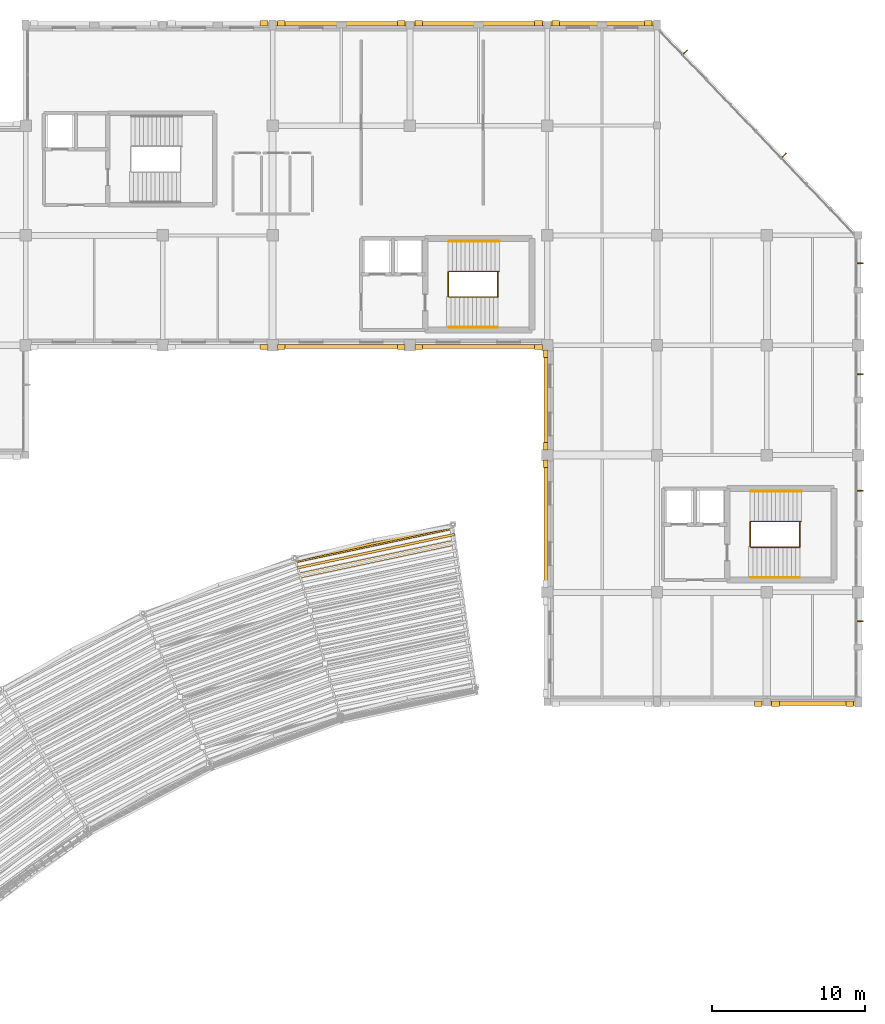
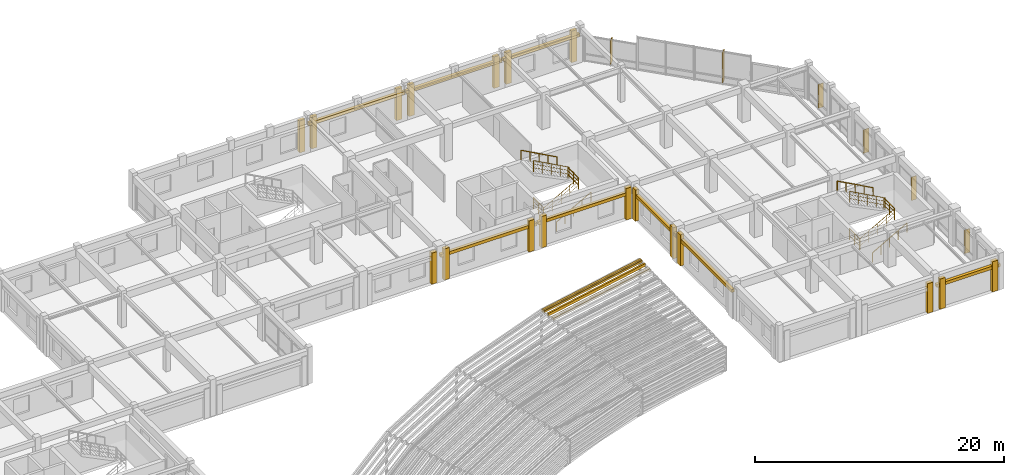
# One storey, part 74 of 74: 28 coverings, 12 railings, 9 shading devices.
"""IFC4 building model written with IfcOpenShell, lengths in metres."""

from ifc_helpers import new_model, si_unit, direction, frame, frame_2d, origin, origin_2d, place, context, subcontext, project, spatial, rectangle, circle, extrude, material, layer, layer_set, type_object, element, save


model = new_model("IFC4")

# Units and contexts
model_context = context("Model", 3, precision=1e-05, world=origin(), true_north=direction((0.0, 1.0)))
body_context = subcontext(model_context, "Body", "Model", "MODEL_VIEW")
ifc_project = project(units=[si_unit("LENGTHUNIT", "METRE"), si_unit("AREAUNIT", "SQUARE_METRE"), si_unit("VOLUMEUNIT", "CUBIC_METRE"), si_unit("PLANEANGLEUNIT", "RADIAN"), si_unit("MASSUNIT", "GRAM", prefix="KILO")], contexts=[model_context])

# Site, building, storey
site_placement = place(None, origin())
site = spatial("IfcSite", under=ifc_project, at=site_placement, CompositionType="ELEMENT")
building_placement = place(site_placement, origin())
building = spatial("IfcBuilding", under=site, at=building_placement, Name="Clarverna Civic Hall", CompositionType="ELEMENT")
storey_placement = place(building_placement, frame((0.0, 0.0, 13.199951171875)))
storey = spatial("IfcBuildingStorey", under=building, at=storey_placement, Name="L03", CompositionType="ELEMENT", Elevation=13.199951171875)

# Coverings
ifc_material_1 = material(Name="Thermally Modified Teak Wood Slat Fascia Cladding", Category="wood")
ifc_layer_1 = layer(ifc_material_1, 0.080078125)
ifc_layer_set_1 = layer_set([ifc_layer_1], Name="Thermally Modified Teak Wood Slat Fascia Cladding")
covering_type_1 = type_object("IfcCoveringType", Name="CV-CL1", PredefinedType="CLADDING", material=ifc_layer_set_1)
covering_1_placement = place(storey_placement, frame((141.58984375, 82.072021484375, 4.625), z_axis=(0.0, 0.0, 1.0), x_axis=(-0.978147552411, -0.20791191816, 0.0)))
element("IfcCovering", 1, at=covering_1_placement, inside=storey, type_object=covering_type_1, Name="CV-CL1-244", PredefinedType="CLADDING", context=body_context, shape_type="SweptSolid", body=[
    extrude(rectangle(XDim=10.435546875, YDim=0.340087890625, at=frame_2d((5.2177734375, 0.0))), origin(), (0.0, 0.0, 1.0), 0.219970703125),
])
covering_2_placement = place(storey_placement, frame((141.443603515625, 83.11181640625, 4.860107421875), z_axis=(0.0, 0.0, 1.0), x_axis=(-0.978145479826, -0.207921668653, 0.0)))
element("IfcCovering", 2, at=covering_2_placement, inside=storey, type_object=covering_type_1, Name="CV-CL1-249", PredefinedType="CLADDING", context=body_context, shape_type="SweptSolid", body=[
    extrude(rectangle(XDim=10.581787109375, YDim=0.340087890625, at=frame_2d((5.291015625, 0.0))), origin(), (0.0, 0.0, 1.0), 0.219970703125),
])
ifc_material_2 = material(Name="Montjuic Buff Limestone Ashlar Cladding", Category="masonry")
ifc_layer_2 = layer(ifc_material_2, 0.070068359375)
ifc_layer_set_2 = layer_set([ifc_layer_2], Name="Montjuic Buff Limestone Ashlar Cladding")
covering_type_2 = type_object("IfcCoveringType", Name="CV-CL2", PredefinedType="CLADDING", material=ifc_layer_set_2)
covering_3_placement = place(storey_placement, frame((128.780029296875, 116.110107421875, 0.0), z_axis=(0.0, 0.0, 1.0), x_axis=(1.0, 0.0, 0.0)))
element("IfcCovering", 3, at=covering_3_placement, inside=storey, type_object=covering_type_2, Name="CV-CL2-547", PredefinedType="CLADDING", context=body_context, shape_type="SweptSolid", body=[
    extrude(rectangle(XDim=0.5, YDim=0.340087890625, at=frame_2d((0.25, 0.0))), origin(), (0.0, 0.0, 1.0), 3.1201171875),
])
covering_4_placement = place(storey_placement, frame((129.659912109375, 116.080078125, 2.320068359375), z_axis=(0.0, 0.0, 1.0), x_axis=(1.0, 0.0, 0.0)))
element("IfcCovering", 4, at=covering_4_placement, inside=storey, type_object=covering_type_2, Name="CV-CL2-548", PredefinedType="CLADDING", context=body_context, shape_type="SweptSolid", body=[
    extrude(rectangle(XDim=8.880126953125, YDim=0.280029296875, at=frame_2d((4.43994140625, 0.0))), origin(), (0.0, 0.0, 1.0), 0.300048828125),
])
for number, where, z_axis, x_axis, name in (
    (5, (129.919921875, 116.110107421875, 0.0), (0.0, 0.0, 1.0), (1.0, 0.0, 0.0), "CV-CL2-549"),
    (6, (137.780029296875, 116.110107421875, 0.0), (0.0, 0.0, 1.0), (1.0, 0.0, 0.0), "CV-CL2-550"),
):
    element("IfcCovering", number, at=place(storey_placement, frame(where, z_axis=z_axis, x_axis=x_axis)), inside=storey, type_object=covering_type_2, Name=name, PredefinedType="CLADDING", context=body_context, shape_type="SweptSolid", body=[
        extrude(rectangle(XDim=0.5, YDim=0.340087890625, at=frame_2d((0.25, 0.0))), origin(), (0.0, 0.0, 1.0), 3.080078125),
    ])
covering_5_placement = place(storey_placement, frame((138.659912109375, 116.080078125, 2.320068359375), z_axis=(0.0, 0.0, 1.0), x_axis=(1.0, 0.0, 0.0)))
element("IfcCovering", 7, at=covering_5_placement, inside=storey, type_object=covering_type_2, Name="CV-CL2-551", PredefinedType="CLADDING", context=body_context, shape_type="SweptSolid", body=[
    extrude(rectangle(XDim=8.880126953125, YDim=0.280029296875, at=frame_2d((4.43994140625, 0.0))), origin(), (0.0, 0.0, 1.0), 0.300048828125),
])
for number, where, z_axis, x_axis, name in (
    (8, (138.919921875, 116.110107421875, 0.0), (0.0, 0.0, 1.0), (1.0, 0.0, 0.0), "CV-CL2-552"),
    (9, (146.780029296875, 116.110107421875, 0.0), (0.0, 0.0, 1.0), (1.0, 0.0, 0.0), "CV-CL2-553"),
):
    element("IfcCovering", number, at=place(storey_placement, frame(where, z_axis=z_axis, x_axis=x_axis)), inside=storey, type_object=covering_type_2, Name=name, PredefinedType="CLADDING", context=body_context, shape_type="SweptSolid", body=[
        extrude(rectangle(XDim=0.5, YDim=0.340087890625, at=frame_2d((0.25, 0.0))), origin(), (0.0, 0.0, 1.0), 3.080078125),
    ])
covering_6_placement = place(storey_placement, frame((147.659912109375, 116.080078125, 2.320068359375), z_axis=(0.0, 0.0, 1.0), x_axis=(1.0, 0.0, 0.0)))
element("IfcCovering", 10, at=covering_6_placement, inside=storey, type_object=covering_type_2, Name="CV-CL2-554", PredefinedType="CLADDING", context=body_context, shape_type="SweptSolid", body=[
    extrude(rectangle(XDim=7.080078125, YDim=0.280029296875, at=frame_2d((3.5400390625, 0.0))), origin(), (0.0, 0.0, 1.0), 0.300048828125),
])
for number, where, z_axis, x_axis, name in (
    (11, (147.919921875, 116.110107421875, 0.0), (0.0, 0.0, 1.0), (1.0, 0.0, 0.0), "CV-CL2-555"),
    (12, (153.97998046875, 116.110107421875, 0.0), (0.0, 0.0, 1.0), (1.0, 0.0, 0.0), "CV-CL2-556"),
):
    element("IfcCovering", number, at=place(storey_placement, frame(where, z_axis=z_axis, x_axis=x_axis)), inside=storey, type_object=covering_type_2, Name=name, PredefinedType="CLADDING", context=body_context, shape_type="SweptSolid", body=[
        extrude(rectangle(XDim=0.5, YDim=0.340087890625, at=frame_2d((0.25, 0.0))), origin(), (0.0, 0.0, 1.0), 3.080078125),
    ])
covering_7_placement = place(storey_placement, frame((167.93994140625, 71.52001953125, 2.18994140625), z_axis=(0.0, 0.0, 1.0), x_axis=(-1.0, 0.0, 0.0)))
element("IfcCovering", 13, at=covering_7_placement, inside=storey, type_object=covering_type_2, Name="CV-CL2-557", PredefinedType="CLADDING", context=body_context, shape_type="SweptSolid", body=[
    extrude(rectangle(XDim=5.8798828125, YDim=0.280029296875, at=frame_2d((2.93994140625, 0.0))), origin(), (0.0, 0.0, 1.0), 0.300048828125),
])
for number, where, z_axis, x_axis, name in (
    (14, (167.679931640625, 71.489990234375, 0.0), (0.0, 0.0, 1.0), (-1.0, 0.0, 0.0), "CV-CL2-558"),
    (15, (162.820068359375, 71.489990234375, 0.0), (0.0, 0.0, 1.0), (-1.0, 0.0, 0.0), "CV-CL2-559"),
):
    element("IfcCovering", number, at=place(storey_placement, frame(where, z_axis=z_axis, x_axis=x_axis)), inside=storey, type_object=covering_type_2, Name=name, PredefinedType="CLADDING", context=body_context, shape_type="SweptSolid", body=[
        extrude(rectangle(XDim=0.5, YDim=0.340087890625, at=frame_2d((0.25, 0.0))), origin(), (0.0, 0.0, 1.0), 2.949951171875),
    ])
covering_8_placement = place(storey_placement, frame((161.679931640625, 71.489990234375, 0.0), z_axis=(0.0, 0.0, 1.0), x_axis=(-1.0, 0.0, 0.0)))
element("IfcCovering", 16, at=covering_8_placement, inside=storey, type_object=covering_type_2, Name="CV-CL2-561", PredefinedType="CLADDING", context=body_context, shape_type="SweptSolid", body=[
    extrude(rectangle(XDim=0.5, YDim=0.340087890625, at=frame_2d((0.25, 0.0))), origin(), (0.0, 0.0, 1.0), 2.900146484375),
])
covering_9_placement = place(storey_placement, frame((147.52001953125, 78.860107421875, 2.2900390625), z_axis=(0.0, 0.0, 1.0), x_axis=(0.0, 1.0, 0.0)))
element("IfcCovering", 17, at=covering_9_placement, inside=storey, type_object=covering_type_2, Name="CV-CL2-569", PredefinedType="CLADDING", context=body_context, shape_type="SweptSolid", body=[
    extrude(rectangle(XDim=8.8798828125, YDim=0.280029296875, at=frame_2d((4.43994140625, 0.0))), origin(), (0.0, 0.0, 1.0), 0.300048828125),
])
covering_10_placement = place(storey_placement, frame((147.489990234375, 86.97998046875, 0.0), z_axis=(0.0, 0.0, 1.0), x_axis=(0.0, 1.0, 0.0)))
element("IfcCovering", 18, at=covering_10_placement, inside=storey, type_object=covering_type_2, Name="CV-CL2-571", PredefinedType="CLADDING", context=body_context, shape_type="SweptSolid", body=[
    extrude(rectangle(XDim=0.5, YDim=0.340087890625, at=frame_2d((0.25, 0.0))), origin(), (0.0, 0.0, 1.0), 3.050048828125),
])
covering_11_placement = place(storey_placement, frame((147.52001953125, 87.860107421875, 2.2900390625), z_axis=(0.0, 0.0, 1.0), x_axis=(0.0, 1.0, 0.0)))
element("IfcCovering", 19, at=covering_11_placement, inside=storey, type_object=covering_type_2, Name="CV-CL2-572", PredefinedType="CLADDING", context=body_context, shape_type="SweptSolid", body=[
    extrude(rectangle(XDim=7.079833984375, YDim=0.280029296875, at=frame_2d((3.5400390625, 0.0))), origin(), (0.0, 0.0, 1.0), 0.300048828125),
])
for number, where, z_axis, x_axis, name in (
    (20, (147.489990234375, 88.1201171875, 0.0), (0.0, 0.0, 1.0), (0.0, 1.0, 0.0), "CV-CL2-573"),
    (21, (147.489990234375, 94.179931640625, 0.0), (0.0, 0.0, 1.0), (0.0, 1.0, 0.0), "CV-CL2-574"),
):
    element("IfcCovering", number, at=place(storey_placement, frame(where, z_axis=z_axis, x_axis=x_axis)), inside=storey, type_object=covering_type_2, Name=name, PredefinedType="CLADDING", context=body_context, shape_type="SweptSolid", body=[
        extrude(rectangle(XDim=0.5, YDim=0.340087890625, at=frame_2d((0.25, 0.0))), origin(), (0.0, 0.0, 1.0), 3.050048828125),
    ])
covering_12_placement = place(storey_placement, frame((147.5400390625, 94.919921875, 2.320068359375), z_axis=(0.0, 0.0, 1.0), x_axis=(-1.0, 0.0, 0.0)))
element("IfcCovering", 22, at=covering_12_placement, inside=storey, type_object=covering_type_2, Name="CV-CL2-575", PredefinedType="CLADDING", context=body_context, shape_type="SweptSolid", body=[
    extrude(rectangle(XDim=8.880126953125, YDim=0.280029296875, at=frame_2d((4.43994140625, 0.0))), origin(), (0.0, 0.0, 1.0), 0.300048828125),
])
for number, where, z_axis, x_axis, name in (
    (23, (147.280029296875, 94.889892578125, 0.0), (0.0, 0.0, 1.0), (-1.0, 0.0, 0.0), "CV-CL2-576"),
    (24, (139.419921875, 94.889892578125, 0.0), (0.0, 0.0, 1.0), (-1.0, 0.0, 0.0), "CV-CL2-577"),
):
    element("IfcCovering", number, at=place(storey_placement, frame(where, z_axis=z_axis, x_axis=x_axis)), inside=storey, type_object=covering_type_2, Name=name, PredefinedType="CLADDING", context=body_context, shape_type="SweptSolid", body=[
        extrude(rectangle(XDim=0.5, YDim=0.340087890625, at=frame_2d((0.25, 0.0))), origin(), (0.0, 0.0, 1.0), 3.080078125),
    ])
covering_13_placement = place(storey_placement, frame((138.5400390625, 94.919921875, 2.2900390625), z_axis=(0.0, 0.0, 1.0), x_axis=(-1.0, 0.0, 0.0)))
element("IfcCovering", 25, at=covering_13_placement, inside=storey, type_object=covering_type_2, Name="CV-CL2-578", PredefinedType="CLADDING", context=body_context, shape_type="SweptSolid", body=[
    extrude(rectangle(XDim=8.880126953125, YDim=0.280029296875, at=frame_2d((4.43994140625, 0.0))), origin(), (0.0, 0.0, 1.0), 0.300048828125),
])
for number, where, z_axis, x_axis, name in (
    (26, (138.280029296875, 94.889892578125, 0.0), (0.0, 0.0, 1.0), (-1.0, 0.0, 0.0), "CV-CL2-579"),
    (27, (130.419921875, 94.889892578125, 0.0), (0.0, 0.0, 1.0), (-1.0, 0.0, 0.0), "CV-CL2-580"),
    (28, (129.280029296875, 94.889892578125, 0.0), (0.0, 0.0, 1.0), (-1.0, 0.0, 0.0), "CV-CL2-582"),
):
    element("IfcCovering", number, at=place(storey_placement, frame(where, z_axis=z_axis, x_axis=x_axis)), inside=storey, type_object=covering_type_2, Name=name, PredefinedType="CLADDING", context=body_context, shape_type="SweptSolid", body=[
        extrude(rectangle(XDim=0.5, YDim=0.340087890625, at=frame_2d((0.25, 0.0))), origin(), (0.0, 0.0, 1.0), 3.050048828125),
    ])

# Railings
ifc_material_3 = material(Name="Anodised Bronze Architectural Balustrade")
railing_type_1 = type_object("IfcRailingType", Name="GR-02", PredefinedType="BALUSTRADE", material=ifc_material_3)
railing_1_placement = place(storey_placement, frame((141.14990234375, 98.159912109375, 0.0)))
element("IfcRailing", 29, at=railing_1_placement, inside=storey, type_object=railing_type_1, Name="GR-02-019", PredefinedType="BALUSTRADE", context=body_context, shape_type="SweptSolid", body=[
    extrude(circle(Radius=0.02392578125, at=origin_2d()), frame((0.0, 0.0, 1.09619140625), z_axis=(0.871901705862, 0.0, 0.489680932154), x_axis=(0.0, 1.0, 0.0)), (0.0, 0.0, 1.0), 3.676025390625),
    extrude(circle(Radius=0.011962890625, at=origin_2d()), frame((0.0, 0.0, 0.39208984375), z_axis=(0.871901705862, 0.0, 0.489680932154), x_axis=(0.0, 1.0, 0.0)), (0.0, 0.0, 1.0), 3.676025390625),
    extrude(circle(Radius=0.011962890625, at=origin_2d()), frame((0.0, 0.0, 0.76171875), z_axis=(0.871901705862, 0.0, 0.489680932154), x_axis=(0.0, 1.0, 0.0)), (0.0, 0.0, 1.0), 3.676025390625),
    extrude(circle(Radius=0.02099609375, at=origin_2d()), origin(), (0.0, 0.0, 1.0), 1.072021484375),
    extrude(circle(Radius=0.02099609375, at=origin_2d()), frame((0.80126953125, 0.0, 0.449951171875)), (0.0, 0.0, 1.0), 1.072021484375),
    extrude(circle(Radius=0.02099609375, at=origin_2d()), frame((1.6025390625, 0.0, 0.89990234375)), (0.0, 0.0, 1.0), 1.072021484375),
    extrude(circle(Radius=0.02099609375, at=origin_2d()), frame((2.40380859375, 0.0, 1.35009765625)), (0.0, 0.0, 1.0), 1.072021484375),
    extrude(circle(Radius=0.02099609375, at=origin_2d()), frame((3.205078125, 0.0, 1.800048828125)), (0.0, 0.0, 1.0), 1.072021484375),
])
railing_2_placement = place(storey_placement, frame((144.35498046875, 98.159912109375, 1.800048828125)))
element("IfcRailing", 30, at=railing_2_placement, inside=storey, type_object=railing_type_1, Name="GR-02-020", PredefinedType="BALUSTRADE", context=body_context, shape_type="SweptSolid", body=[
    extrude(circle(Radius=0.02392578125, at=origin_2d()), frame((0.0, 0.0, 1.09619140625), z_axis=(0.0, 1.0, 0.0), x_axis=(-1.0, 0.0, 0.0)), (0.0, 0.0, 1.0), 1.68017578125),
    extrude(circle(Radius=0.011962890625, at=origin_2d()), frame((0.0, 0.0, 0.39208984375), z_axis=(0.0, 1.0, 0.0), x_axis=(-1.0, 0.0, 0.0)), (0.0, 0.0, 1.0), 1.68017578125),
    extrude(circle(Radius=0.011962890625, at=origin_2d()), frame((0.0, 0.0, 0.76171875), z_axis=(0.0, 1.0, 0.0), x_axis=(-1.0, 0.0, 0.0)), (0.0, 0.0, 1.0), 1.68017578125),
    extrude(circle(Radius=0.02099609375, at=origin_2d()), origin(), (0.0, 0.0, 1.0), 1.072021484375),
    extrude(circle(Radius=0.02099609375, at=origin_2d()), frame((0.0, 0.840087890625, 0.0)), (0.0, 0.0, 1.0), 1.072021484375),
    extrude(circle(Radius=0.02099609375, at=origin_2d()), frame((0.0, 1.68017578125, 0.0)), (0.0, 0.0, 1.0), 1.072021484375),
])
railing_3_placement = place(storey_placement, frame((144.445068359375, 99.840087890625, 1.800048828125)))
element("IfcRailing", 31, at=railing_3_placement, inside=storey, type_object=railing_type_1, Name="GR-02-021", PredefinedType="BALUSTRADE", context=body_context, shape_type="SweptSolid", body=[
    extrude(circle(Radius=0.02392578125, at=origin_2d()), frame((0.0, 0.0, 1.09619140625), z_axis=(-0.877594727342, 0.0, 0.479403269222), x_axis=(0.0, -1.0, 0.0)), (0.0, 0.0, 1.0), 3.7548828125),
    extrude(circle(Radius=0.011962890625, at=origin_2d()), frame((0.0, 0.0, 0.39208984375), z_axis=(-0.877594727342, 0.0, 0.479403269222), x_axis=(0.0, -1.0, 0.0)), (0.0, 0.0, 1.0), 3.7548828125),
    extrude(circle(Radius=0.011962890625, at=origin_2d()), frame((0.0, 0.0, 0.76171875), z_axis=(-0.877594727342, 0.0, 0.479403269222), x_axis=(0.0, -1.0, 0.0)), (0.0, 0.0, 1.0), 3.7548828125),
    extrude(circle(Radius=0.02099609375, at=origin_2d()), origin(), (0.0, 0.0, 1.0), 1.072021484375),
    extrude(circle(Radius=0.02099609375, at=origin_2d()), frame((-0.82373046875, 0.0, 0.449951171875)), (0.0, 0.0, 1.0), 1.072021484375),
    extrude(circle(Radius=0.02099609375, at=origin_2d()), frame((-1.6474609375, 0.0, 0.89990234375)), (0.0, 0.0, 1.0), 1.072021484375),
    extrude(circle(Radius=0.02099609375, at=origin_2d()), frame((-2.471435546875, 0.0, 1.35009765625)), (0.0, 0.0, 1.0), 1.072021484375),
    extrude(circle(Radius=0.02099609375, at=origin_2d()), frame((-3.295166015625, 0.0, 1.800048828125)), (0.0, 0.0, 1.0), 1.072021484375),
])
railing_4_placement = place(storey_placement, frame((141.110107421875, 98.199951171875, 0.0)))
element("IfcRailing", 32, at=railing_4_placement, inside=storey, type_object=railing_type_1, Name="GR-02-022", PredefinedType="BALUSTRADE", context=body_context, shape_type="SweptSolid", body=[
    extrude(circle(Radius=0.02392578125, at=origin_2d()), frame((0.0, 0.0, 1.09619140625), z_axis=(0.0, 1.0, 0.0), x_axis=(-1.0, 0.0, 0.0)), (0.0, 0.0, 1.0), 1.60009765625),
    extrude(circle(Radius=0.011962890625, at=origin_2d()), frame((0.0, 0.0, 0.39208984375), z_axis=(0.0, 1.0, 0.0), x_axis=(-1.0, 0.0, 0.0)), (0.0, 0.0, 1.0), 1.60009765625),
    extrude(circle(Radius=0.011962890625, at=origin_2d()), frame((0.0, 0.0, 0.76171875), z_axis=(0.0, 1.0, 0.0), x_axis=(-1.0, 0.0, 0.0)), (0.0, 0.0, 1.0), 1.60009765625),
    extrude(circle(Radius=0.02099609375, at=origin_2d()), origin(), (0.0, 0.0, 1.0), 1.072021484375),
    extrude(circle(Radius=0.02099609375, at=origin_2d()), frame((0.0, 0.800048828125, 0.0)), (0.0, 0.0, 1.0), 1.072021484375),
    extrude(circle(Radius=0.02099609375, at=origin_2d()), frame((0.0, 1.60009765625, 0.0)), (0.0, 0.0, 1.0), 1.072021484375),
])
railing_5_placement = place(storey_placement, frame((160.949951171875, 81.760009765625, 0.0)))
element("IfcRailing", 33, at=railing_5_placement, inside=storey, type_object=railing_type_1, Name="GR-02-051", PredefinedType="BALUSTRADE", context=body_context, shape_type="SweptSolid", body=[
    extrude(circle(Radius=0.02392578125, at=origin_2d()), frame((0.0, 0.0, 1.09619140625), z_axis=(0.871901705862, 0.0, 0.489680932154), x_axis=(0.0, 1.0, 0.0)), (0.0, 0.0, 1.0), 3.676025390625),
    extrude(circle(Radius=0.011962890625, at=origin_2d()), frame((0.0, 0.0, 0.39208984375), z_axis=(0.871901705862, 0.0, 0.489680932154), x_axis=(0.0, 1.0, 0.0)), (0.0, 0.0, 1.0), 3.676025390625),
    extrude(circle(Radius=0.011962890625, at=origin_2d()), frame((0.0, 0.0, 0.76171875), z_axis=(0.871901705862, 0.0, 0.489680932154), x_axis=(0.0, 1.0, 0.0)), (0.0, 0.0, 1.0), 3.676025390625),
    extrude(circle(Radius=0.02099609375, at=origin_2d()), origin(), (0.0, 0.0, 1.0), 1.072021484375),
    extrude(circle(Radius=0.02099609375, at=origin_2d()), frame((0.80126953125, 0.0, 0.449951171875)), (0.0, 0.0, 1.0), 1.072021484375),
    extrude(circle(Radius=0.02099609375, at=origin_2d()), frame((1.6025390625, 0.0, 0.89990234375)), (0.0, 0.0, 1.0), 1.072021484375),
    extrude(circle(Radius=0.02099609375, at=origin_2d()), frame((2.40380859375, 0.0, 1.35009765625)), (0.0, 0.0, 1.0), 1.072021484375),
    extrude(circle(Radius=0.02099609375, at=origin_2d()), frame((3.205078125, 0.0, 1.800048828125)), (0.0, 0.0, 1.0), 1.072021484375),
])
railing_6_placement = place(storey_placement, frame((164.155029296875, 81.760009765625, 1.800048828125)))
element("IfcRailing", 34, at=railing_6_placement, inside=storey, type_object=railing_type_1, Name="GR-02-052", PredefinedType="BALUSTRADE", context=body_context, shape_type="SweptSolid", body=[
    extrude(circle(Radius=0.02392578125, at=origin_2d()), frame((0.0, 0.0, 1.09619140625), z_axis=(0.0, 1.0, 0.0), x_axis=(-1.0, 0.0, 0.0)), (0.0, 0.0, 1.0), 1.679931640625),
    extrude(circle(Radius=0.011962890625, at=origin_2d()), frame((0.0, 0.0, 0.39208984375), z_axis=(0.0, 1.0, 0.0), x_axis=(-1.0, 0.0, 0.0)), (0.0, 0.0, 1.0), 1.679931640625),
    extrude(circle(Radius=0.011962890625, at=origin_2d()), frame((0.0, 0.0, 0.76171875), z_axis=(0.0, 1.0, 0.0), x_axis=(-1.0, 0.0, 0.0)), (0.0, 0.0, 1.0), 1.679931640625),
    extrude(circle(Radius=0.02099609375, at=origin_2d()), origin(), (0.0, 0.0, 1.0), 1.072021484375),
    extrude(circle(Radius=0.02099609375, at=origin_2d()), frame((0.0, 0.83984375, 0.0)), (0.0, 0.0, 1.0), 1.072021484375),
    extrude(circle(Radius=0.02099609375, at=origin_2d()), frame((0.0, 1.679931640625, 0.0)), (0.0, 0.0, 1.0), 1.072021484375),
])
railing_7_placement = place(storey_placement, frame((164.2451171875, 83.43994140625, 1.800048828125)))
element("IfcRailing", 35, at=railing_7_placement, inside=storey, type_object=railing_type_1, Name="GR-02-053", PredefinedType="BALUSTRADE", context=body_context, shape_type="SweptSolid", body=[
    extrude(circle(Radius=0.02392578125, at=origin_2d()), frame((0.0, 0.0, 1.09619140625), z_axis=(-0.877594727342, 0.0, 0.479403269222), x_axis=(0.0, -1.0, 0.0)), (0.0, 0.0, 1.0), 3.7548828125),
    extrude(circle(Radius=0.011962890625, at=origin_2d()), frame((0.0, 0.0, 0.39208984375), z_axis=(-0.877594727342, 0.0, 0.479403269222), x_axis=(0.0, -1.0, 0.0)), (0.0, 0.0, 1.0), 3.7548828125),
    extrude(circle(Radius=0.011962890625, at=origin_2d()), frame((0.0, 0.0, 0.76171875), z_axis=(-0.877594727342, 0.0, 0.479403269222), x_axis=(0.0, -1.0, 0.0)), (0.0, 0.0, 1.0), 3.7548828125),
    extrude(circle(Radius=0.02099609375, at=origin_2d()), origin(), (0.0, 0.0, 1.0), 1.072021484375),
    extrude(circle(Radius=0.02099609375, at=origin_2d()), frame((-0.82373046875, 0.0, 0.449951171875)), (0.0, 0.0, 1.0), 1.072021484375),
    extrude(circle(Radius=0.02099609375, at=origin_2d()), frame((-1.6474609375, 0.0, 0.89990234375)), (0.0, 0.0, 1.0), 1.072021484375),
    extrude(circle(Radius=0.02099609375, at=origin_2d()), frame((-2.471435546875, 0.0, 1.35009765625)), (0.0, 0.0, 1.0), 1.072021484375),
    extrude(circle(Radius=0.02099609375, at=origin_2d()), frame((-3.295166015625, 0.0, 1.800048828125)), (0.0, 0.0, 1.0), 1.072021484375),
])
railing_8_placement = place(storey_placement, frame((160.909912109375, 81.800048828125, 0.0)))
element("IfcRailing", 36, at=railing_8_placement, inside=storey, type_object=railing_type_1, Name="GR-02-054", PredefinedType="BALUSTRADE", context=body_context, shape_type="SweptSolid", body=[
    extrude(circle(Radius=0.02392578125, at=origin_2d()), frame((0.0, 0.0, 1.09619140625), z_axis=(0.0, 1.0, 0.0), x_axis=(-1.0, 0.0, 0.0)), (0.0, 0.0, 1.0), 1.599853515625),
    extrude(circle(Radius=0.011962890625, at=origin_2d()), frame((0.0, 0.0, 0.39208984375), z_axis=(0.0, 1.0, 0.0), x_axis=(-1.0, 0.0, 0.0)), (0.0, 0.0, 1.0), 1.599853515625),
    extrude(circle(Radius=0.011962890625, at=origin_2d()), frame((0.0, 0.0, 0.76171875), z_axis=(0.0, 1.0, 0.0), x_axis=(-1.0, 0.0, 0.0)), (0.0, 0.0, 1.0), 1.599853515625),
    extrude(circle(Radius=0.02099609375, at=origin_2d()), origin(), (0.0, 0.0, 1.0), 1.072021484375),
    extrude(circle(Radius=0.02099609375, at=origin_2d()), frame((0.0, 0.7998046875, 0.0)), (0.0, 0.0, 1.0), 1.072021484375),
    extrude(circle(Radius=0.02099609375, at=origin_2d()), frame((0.0, 1.599853515625, 0.0)), (0.0, 0.0, 1.0), 1.072021484375),
])
ifc_material_4 = material(Name="Anodised Bronze Continuous Handrail")
railing_type_2 = type_object("IfcRailingType", Name="HR-01", PredefinedType="HANDRAIL", material=ifc_material_4)
railing_9_placement = place(storey_placement, frame((141.14990234375, 96.179931640625, 0.0)))
element("IfcRailing", 37, at=railing_9_placement, inside=storey, type_object=railing_type_2, Name="HR-01-009", PredefinedType="HANDRAIL", context=body_context, shape_type="SweptSolid", body=[
    extrude(circle(Radius=0.02392578125, at=origin_2d()), frame((0.0, 0.0, 0.89599609375), z_axis=(0.870925075533, 0.0, 0.491415824742), x_axis=(0.0, 1.0, 0.0)), (0.0, 0.0, 1.0), 3.6630859375),
    extrude(circle(Radius=0.02099609375, at=origin_2d()), origin(), (0.0, 0.0, 1.0), 0.871826171875),
    extrude(circle(Radius=0.02099609375, at=origin_2d()), frame((0.797607421875, 0.0, 0.449951171875)), (0.0, 0.0, 1.0), 0.871826171875),
    extrude(circle(Radius=0.02099609375, at=origin_2d()), frame((1.59521484375, 0.0, 0.89990234375)), (0.0, 0.0, 1.0), 0.871826171875),
    extrude(circle(Radius=0.02099609375, at=origin_2d()), frame((2.392578125, 0.0, 1.35009765625)), (0.0, 0.0, 1.0), 0.871826171875),
    extrude(circle(Radius=0.02099609375, at=origin_2d()), frame((3.190185546875, 0.0, 1.800048828125)), (0.0, 0.0, 1.0), 0.871826171875),
])
railing_10_placement = place(storey_placement, frame((144.4599609375, 101.820068359375, 1.800048828125)))
element("IfcRailing", 38, at=railing_10_placement, inside=storey, type_object=railing_type_2, Name="HR-01-010", PredefinedType="HANDRAIL", context=body_context, shape_type="SweptSolid", body=[
    extrude(circle(Radius=0.02392578125, at=origin_2d()), frame((0.0, 0.0, 0.89599609375), z_axis=(-0.878501555178, 0.0, 0.477739487116), x_axis=(0.0, -1.0, 0.0)), (0.0, 0.0, 1.0), 3.767822265625),
    extrude(circle(Radius=0.02099609375, at=origin_2d()), origin(), (0.0, 0.0, 1.0), 0.871826171875),
    extrude(circle(Radius=0.02099609375, at=origin_2d()), frame((-0.82763671875, 0.0, 0.449951171875)), (0.0, 0.0, 1.0), 0.871826171875),
    extrude(circle(Radius=0.02099609375, at=origin_2d()), frame((-1.655029296875, 0.0, 0.89990234375)), (0.0, 0.0, 1.0), 0.871826171875),
    extrude(circle(Radius=0.02099609375, at=origin_2d()), frame((-2.482421875, 0.0, 1.35009765625)), (0.0, 0.0, 1.0), 0.871826171875),
    extrude(circle(Radius=0.02099609375, at=origin_2d()), frame((-3.31005859375, 0.0, 1.800048828125)), (0.0, 0.0, 1.0), 0.871826171875),
])
railing_11_placement = place(storey_placement, frame((160.949951171875, 79.780029296875, 0.0)))
element("IfcRailing", 39, at=railing_11_placement, inside=storey, type_object=railing_type_2, Name="HR-01-025", PredefinedType="HANDRAIL", context=body_context, shape_type="SweptSolid", body=[
    extrude(circle(Radius=0.02392578125, at=origin_2d()), frame((0.0, 0.0, 0.89599609375), z_axis=(0.87090897868, 0.0, 0.491444351738), x_axis=(0.0, 1.0, 0.0)), (0.0, 0.0, 1.0), 3.662841796875),
    extrude(circle(Radius=0.02099609375, at=origin_2d()), origin(), (0.0, 0.0, 1.0), 0.871826171875),
    extrude(circle(Radius=0.02099609375, at=origin_2d()), frame((0.79736328125, 0.0, 0.449951171875)), (0.0, 0.0, 1.0), 0.871826171875),
    extrude(circle(Radius=0.02099609375, at=origin_2d()), frame((1.594970703125, 0.0, 0.89990234375)), (0.0, 0.0, 1.0), 0.871826171875),
    extrude(circle(Radius=0.02099609375, at=origin_2d()), frame((2.392578125, 0.0, 1.35009765625)), (0.0, 0.0, 1.0), 0.871826171875),
    extrude(circle(Radius=0.02099609375, at=origin_2d()), frame((3.18994140625, 0.0, 1.800048828125)), (0.0, 0.0, 1.0), 0.871826171875),
])
railing_12_placement = place(storey_placement, frame((164.260009765625, 85.419921875, 1.800048828125)))
element("IfcRailing", 40, at=railing_12_placement, inside=storey, type_object=railing_type_2, Name="HR-01-026", PredefinedType="HANDRAIL", context=body_context, shape_type="SweptSolid", body=[
    extrude(circle(Radius=0.02392578125, at=origin_2d()), frame((0.0, 0.0, 0.89599609375), z_axis=(-0.878501555178, 0.0, 0.477739487116), x_axis=(0.0, -1.0, 0.0)), (0.0, 0.0, 1.0), 3.767822265625),
    extrude(circle(Radius=0.02099609375, at=origin_2d()), origin(), (0.0, 0.0, 1.0), 0.871826171875),
    extrude(circle(Radius=0.02099609375, at=origin_2d()), frame((-0.82763671875, 0.0, 0.449951171875)), (0.0, 0.0, 1.0), 0.871826171875),
    extrude(circle(Radius=0.02099609375, at=origin_2d()), frame((-1.655029296875, 0.0, 0.89990234375)), (0.0, 0.0, 1.0), 0.871826171875),
    extrude(circle(Radius=0.02099609375, at=origin_2d()), frame((-2.482421875, 0.0, 1.35009765625)), (0.0, 0.0, 1.0), 0.871826171875),
    extrude(circle(Radius=0.02099609375, at=origin_2d()), frame((-3.31005859375, 0.0, 1.800048828125)), (0.0, 0.0, 1.0), 0.871826171875),
])

# Shading devices
ifc_material_5 = material(Name="Anodised Bronze Architectural Solar Fin", Category="aluminium")
ifc_layer_3 = layer(ifc_material_5, 0.054931640625)
ifc_layer_set_3 = layer_set([ifc_layer_3], Name="Anodised Bronze Architectural Solar Fin")
shading_device_type_1 = type_object("IfcShadingDeviceType", Name="SD-FN1", PredefinedType="USERDEFINED", material=ifc_layer_set_3)
shading_device_1_placement = place(storey_placement, frame((156.455322265625, 114.0234375, 0.150146484375), z_axis=(0.0, 0.0, 1.0), x_axis=(0.72269708108, 0.691164907239, 0.0)))
element("IfcShadingDevice", 41, at=shading_device_1_placement, inside=storey, type_object=shading_device_type_1, Name="SD-FN1-031", ObjectType="FIN", PredefinedType="USERDEFINED", context=body_context, shape_type="SweptSolid", body=[
    extrude(rectangle(XDim=0.47998046875, YDim=0.054931640625, at=frame_2d((0.239990234375, 0.0))), origin(), (0.0, 0.0, 1.0), 2.33984375),
])
shading_device_2_placement = place(storey_placement, frame((162.927001953125, 107.257568359375, 0.150146484375), z_axis=(0.0, 0.0, 1.0), x_axis=(0.72269708108, 0.691164907239, 0.0)))
element("IfcShadingDevice", 42, at=shading_device_2_placement, inside=storey, type_object=shading_device_type_1, Name="SD-FN1-032", ObjectType="FIN", PredefinedType="USERDEFINED", context=body_context, shape_type="SweptSolid", body=[
    extrude(rectangle(XDim=0.47998046875, YDim=0.054931640625, at=frame_2d((0.239990234375, 0.0))), origin(), (0.0, 0.0, 1.0), 3.02001953125),
])
shading_device_3_placement = place(storey_placement, frame((167.830078125, 100.3701171875, 0.150146484375), z_axis=(0.0, 0.0, 1.0), x_axis=(1.0, 0.0, 0.0)))
element("IfcShadingDevice", 43, at=shading_device_3_placement, inside=storey, type_object=shading_device_type_1, Name="SD-FN1-033", ObjectType="FIN", PredefinedType="USERDEFINED", context=body_context, shape_type="SweptSolid", body=[
    extrude(rectangle(XDim=0.47998046875, YDim=0.054931640625, at=frame_2d((0.239990234375, 0.0))), origin(), (0.0, 0.0, 1.0), 2.33984375),
])
for number, where, z_axis, x_axis, name in (
    (44, (167.830078125, 93.107421875, 0.150146484375), (0.0, 0.0, 1.0), (1.0, 0.0, 0.0), "SD-FN1-034"),
    (45, (167.830078125, 85.45751953125, 0.150146484375), (0.0, 0.0, 1.0), (1.0, 0.0, 0.0), "SD-FN1-035"),
    (46, (167.830078125, 76.907470703125, 0.150146484375), (0.0, 0.0, 1.0), (1.0, 0.0, 0.0), "SD-FN1-036"),
):
    element("IfcShadingDevice", number, at=place(storey_placement, frame(where, z_axis=z_axis, x_axis=x_axis)), inside=storey, type_object=shading_device_type_1, Name=name, ObjectType="FIN", PredefinedType="USERDEFINED", context=body_context, shape_type="SweptSolid", body=[
        extrude(rectangle(XDim=0.47998046875, YDim=0.054931640625, at=frame_2d((0.239990234375, 0.0))), origin(), (0.0, 0.0, 1.0), 2.2998046875),
    ])
ifc_material_6 = material(Name="Thermally Modified Teak Wood Slats", Category="wood")
ifc_layer_4 = layer(ifc_material_6, 0.06494140625)
ifc_layer_set_4 = layer_set([ifc_layer_4], Name="Thermally Modified Teak Wood Slats")
shading_device_type_2 = type_object("IfcShadingDeviceType", Name="SD-WD1", PredefinedType="JALOUSIE", material=ifc_layer_set_4)
shading_device_4_placement = place(storey_placement, frame((141.516845703125, 82.591796875, 4.72265625), z_axis=(0.0, 0.0, 1.0), x_axis=(-0.978149875442, -0.207900988869, 0.0)))
element("IfcShadingDevice", 47, at=shading_device_4_placement, inside=storey, type_object=shading_device_type_2, Name="SD-WD1-448", PredefinedType="JALOUSIE", context=body_context, shape_type="SweptSolid", body=[
    extrude(rectangle(XDim=10.509033203125, YDim=0.159912109375, at=frame_2d((5.25439453125, 0.0))), origin(), (0.0, 0.0, 1.0), 0.27978515625),
])
shading_device_5_placement = place(storey_placement, frame((141.443603515625, 83.11181640625, 4.840087890625), z_axis=(0.0, 0.0, 1.0), x_axis=(-0.978145479826, -0.207921668653, 0.0)))
element("IfcShadingDevice", 48, at=shading_device_5_placement, inside=storey, type_object=shading_device_type_2, Name="SD-WD1-453", PredefinedType="JALOUSIE", context=body_context, shape_type="SweptSolid", body=[
    extrude(rectangle(XDim=10.581787109375, YDim=0.159912109375, at=frame_2d((5.291015625, 0.0))), origin(), (0.0, 0.0, 1.0), 0.280029296875),
])
shading_device_6_placement = place(storey_placement, frame((141.443603515625, 83.11181640625, 4.880126953125), z_axis=(0.0, 0.0, 1.0), x_axis=(-0.978145479826, -0.207921668653, 0.0)))
element("IfcShadingDevice", 49, at=shading_device_6_placement, inside=storey, type_object=shading_device_type_2, Name="SD-WD1-454", PredefinedType="JALOUSIE", context=body_context, shape_type="SweptSolid", body=[
    extrude(rectangle(XDim=10.581787109375, YDim=0.3798828125, at=frame_2d((5.291015625, 0.0))), origin(), (0.0, 0.0, 1.0), 0.179931640625),
])

save(model, "model.ifc")
